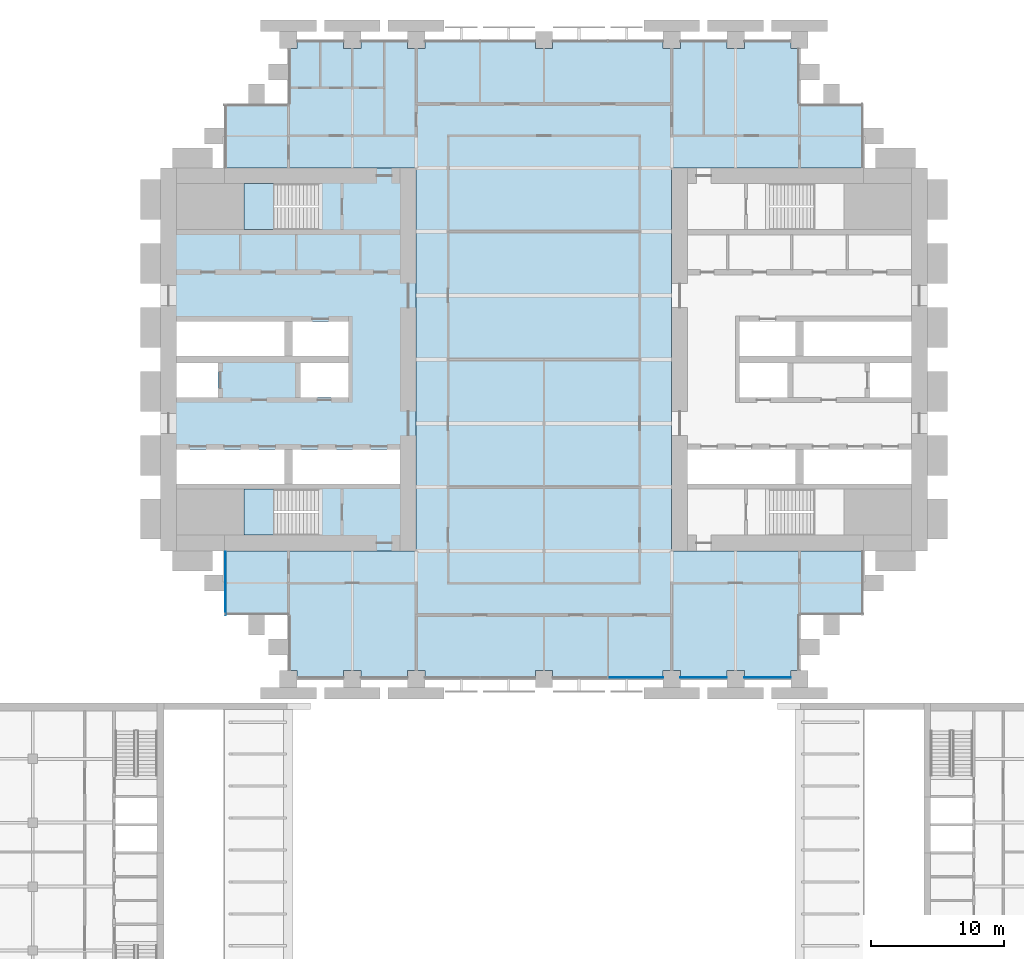
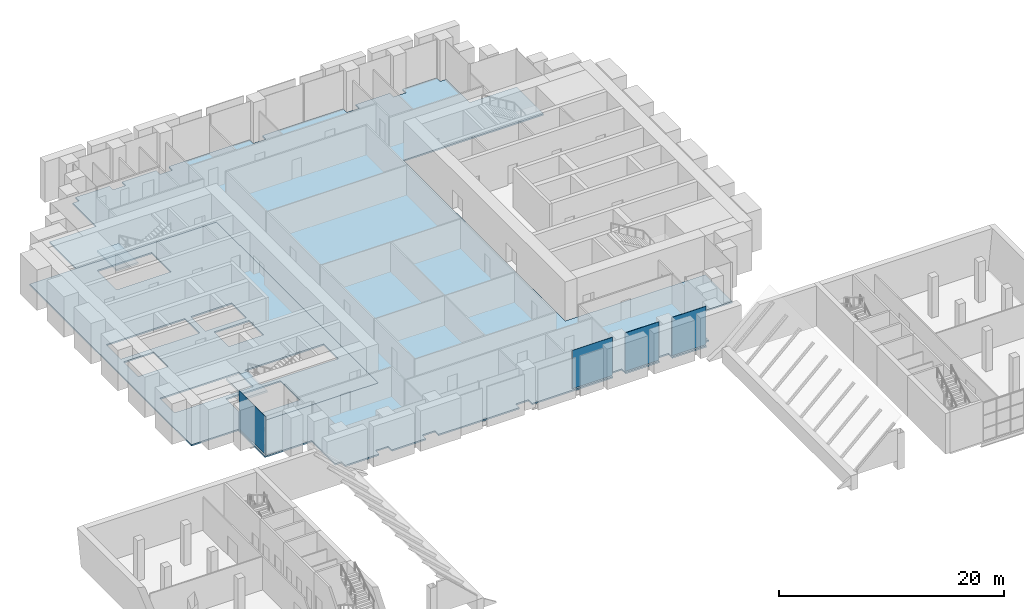
# One storey, part 17 of 30: 4 plates, 4 slabs, 4 elements without a shape of their own.
"""IFC4 building model written with IfcOpenShell, lengths in metres."""

from ifc_helpers import new_model, si_unit, direction, frame, origin, origin_2d, place, context, subcontext, project, spatial, polyline, rectangle, outline, extrude, material, layer, layer_set, type_object, element, aggregate, save


model = new_model("IFC4")

# Units and contexts
model_context = context("Model", 3, precision=1e-05, world=origin(), true_north=direction((0.0, 1.0)))
body_context = subcontext(model_context, "Body", "Model", "MODEL_VIEW")
ifc_project = project(units=[si_unit("LENGTHUNIT", "METRE"), si_unit("AREAUNIT", "SQUARE_METRE"), si_unit("VOLUMEUNIT", "CUBIC_METRE"), si_unit("PLANEANGLEUNIT", "RADIAN"), si_unit("MASSUNIT", "GRAM", prefix="KILO")], contexts=[model_context])

# Site, building, storey
site_placement = place(None, origin())
site = spatial("IfcSite", under=ifc_project, at=site_placement, CompositionType="ELEMENT")
building_placement = place(site_placement, origin())
building = spatial("IfcBuilding", under=site, at=building_placement, Name="Baori Bourse Tower", CompositionType="ELEMENT")
storey_placement = place(building_placement, frame((0.0, 0.0, 17.0)))
storey = spatial("IfcBuildingStorey", under=building, at=storey_placement, Name="L02", CompositionType="ELEMENT", Elevation=17.0)

# Curtain wall, plates
ifc_material_1 = material(Name="Pale anodised aluminium", Category="aluminium")
curtain_wall_type_1 = type_object("IfcCurtainWallType", Name="CW1 Curtain wall", PredefinedType="NOTDEFINED", material=ifc_material_1)
curtain_wall_1_placement = place(storey_placement, origin())
curtain_wall_1 = element("IfcCurtainWall", 1, at=curtain_wall_1_placement, inside=storey, type_object=curtain_wall_type_1, Name="Curtain wall CW1 L02 11", PredefinedType="NOTDEFINED")
ifc_material_2 = material(Name="Clear glass", Category="glass")
ifc_layer_1 = layer(ifc_material_2, 0.033935546875)
ifc_layer_set_1 = layer_set([ifc_layer_1], Name="CW1 Curtain wall panel")
plate_type_1 = type_object("IfcPlateType", Name="CW1 Curtain wall panel", PredefinedType="CURTAIN_PANEL", material=ifc_layer_set_1)
plate_1_placement = place(storey_placement, frame((35.68994140625, 0.10009765625, 0.080078125), z_axis=(0.0, 0.0, 1.0), x_axis=(1.0, 0.0, 0.0)))
plate_1 = element("IfcPlate", 2, at=plate_1_placement, type_object=plate_type_1, Name="Curtain wall CW1 panel", PredefinedType="CURTAIN_PANEL", context=body_context, shape_type="SweptSolid", body=[
    extrude(rectangle(XDim=4.1201171875, YDim=0.033935546875, at=origin_2d()), origin(), (0.0, 0.0, 1.0), 4.159912109375),
])
plate_2_placement = place(storey_placement, frame((40.800048828125, 0.10009765625, 0.080078125), z_axis=(0.0, 0.0, 1.0), x_axis=(1.0, 0.0, 0.0)))
plate_2 = element("IfcPlate", 3, at=plate_2_placement, type_object=plate_type_1, Name="Curtain wall CW1 panel", PredefinedType="CURTAIN_PANEL", context=body_context, shape_type="SweptSolid", body=[
    extrude(rectangle(XDim=3.5, YDim=0.033935546875, at=origin_2d()), origin(), (0.0, 0.0, 1.0), 4.159912109375),
])
plate_3_placement = place(storey_placement, frame((45.60009765625, 0.10009765625, 0.080078125), z_axis=(0.0, 0.0, 1.0), x_axis=(1.0, 0.0, 0.0)))
plate_3 = element("IfcPlate", 4, at=plate_3_placement, type_object=plate_type_1, Name="Curtain wall CW1 panel", PredefinedType="CURTAIN_PANEL", context=body_context, shape_type="SweptSolid", body=[
    extrude(rectangle(XDim=3.5, YDim=0.033935546875, at=origin_2d()), origin(), (0.0, 0.0, 1.0), 4.159912109375),
])
aggregate(curtain_wall_1, [plate_1, plate_2, plate_3])

# Curtain wall, plate
ifc_material_3 = material(Name="Pale anodised aluminium", Category="aluminium")
curtain_wall_type_2 = type_object("IfcCurtainWallType", Name="CW2 Curtain wall", PredefinedType="NOTDEFINED", material=ifc_material_3)
curtain_wall_2_placement = place(storey_placement, origin())
curtain_wall_2 = element("IfcCurtainWall", 5, at=curtain_wall_2_placement, inside=storey, type_object=curtain_wall_type_2, Name="Curtain wall CW2 L02 8", PredefinedType="NOTDEFINED")
ifc_material_4 = material(Name="Clear glass", Category="glass")
ifc_layer_2 = layer(ifc_material_4, 0.030029296875)
ifc_layer_set_2 = layer_set([ifc_layer_2], Name="CW2 Curtain wall panel")
plate_type_2 = type_object("IfcPlateType", Name="CW2 Curtain wall panel", PredefinedType="CURTAIN_PANEL", material=ifc_layer_set_2)
plate_4_placement = place(storey_placement, frame((4.889892578125, 7.172607421875, 0.070068359375), z_axis=(0.0, 0.0, 1.0), x_axis=(0.0, -1.0, 0.0)))
plate_4 = element("IfcPlate", 6, at=plate_4_placement, type_object=plate_type_2, Name="Curtain wall CW2 panel", PredefinedType="CURTAIN_PANEL", context=body_context, shape_type="SweptSolid", body=[
    extrude(rectangle(XDim=4.7451171875, YDim=0.030029296875, at=origin_2d()), origin(), (0.0, 0.0, 1.0), 4.169921875),
])
aggregate(curtain_wall_2, [plate_4])

# Slab
ifc_material_5 = material(Name="Concrete f'c 50 MPa", Category="concrete")
ifc_layer_3 = layer(ifc_material_5, 0.159912109375)
ifc_layer_set_3 = layer_set([ifc_layer_3], Name="Core slab 160")
slab_type_1 = type_object("IfcSlabType", Name="Core slab 160", PredefinedType="FLOOR", material=ifc_layer_set_3)
slab_1_placement = place(storey_placement, frame((0.0, 0.0, -0.159912109375)))
element("IfcSlab", 7, at=slab_1_placement, inside=storey, type_object=slab_type_1, Name="Core floor slab W01", PredefinedType="FLOOR", context=body_context, shape_type="SweptSolid", body=[
    extrude(outline(polyline([(19.199951171875, 9.60009765625), (19.199951171875, 38.39990234375), (0.0, 38.39990234375), (0.0, 9.60009765625), (19.199951171875, 9.60009765625)]), holes=[polyline([(9.89990234375, 14.64990234375), (9.89990234375, 17.25), (18.0, 17.25), (18.0, 14.64990234375), (9.89990234375, 14.64990234375)]), polyline([(10.5, 21.14990234375), (10.5, 23.75), (14.10009765625, 23.75), (14.10009765625, 21.14990234375), (10.5, 21.14990234375)]), polyline([(14.10009765625, 24.25), (9.89990234375, 24.25), (9.89990234375, 26.85009765625), (14.10009765625, 26.85009765625), (14.10009765625, 24.25)]), polyline([(6.25, 14.25), (11.84912109375, 14.25), (11.84912109375, 10.800048828125), (6.25, 10.800048828125), (6.25, 14.25)]), polyline([(11.84912109375, 37.199951171875), (11.84912109375, 33.75), (6.25, 33.75), (6.25, 37.199951171875), (11.84912109375, 37.199951171875)]), polyline([(1.199951171875, 26.85009765625), (9.300048828125, 26.85009765625), (9.300048828125, 24.25), (1.199951171875, 24.25), (1.199951171875, 26.85009765625)]), polyline([(9.300048828125, 14.64990234375), (1.199951171875, 14.64990234375), (1.199951171875, 17.25), (9.300048828125, 17.25), (9.300048828125, 14.64990234375)]), polyline([(4.300048828125, 23.75), (4.300048828125, 21.14990234375), (1.199951171875, 21.14990234375), (1.199951171875, 23.75), (4.300048828125, 23.75)])]), origin(), (0.0, 0.0, 1.0), 0.159912109375),
])

# Stair, slab
ifc_material_6 = material(Name="Concrete f'c 50 MPa", Category="concrete")
stair_type = type_object("IfcStairType", Name="Core stair", PredefinedType="HALF_TURN_STAIR", material=ifc_material_6)
stair_1_placement = place(storey_placement, origin())
stair_1 = element("IfcStair", 8, at=stair_1_placement, inside=storey, type_object=stair_type, Name="L02 Stair WA", PredefinedType="HALF_TURN_STAIR")
ifc_material_7 = material(Name="Concrete f'c 50 MPa", Category="concrete")
slab_type_2 = type_object("IfcSlabType", Name="Core stair landing", PredefinedType="LANDING", material=ifc_material_7)
slab_2_placement = place(storey_placement, frame((0.0, 0.0, 2.0)))
slab_2 = element("IfcSlab", 9, at=slab_2_placement, type_object=slab_type_2, Name="ST1 landing 1", PredefinedType="LANDING", context=body_context, shape_type="SweptSolid", body=[
    extrude(outline(polyline([(8.489990234375, 14.25), (6.25, 14.25), (6.25, 10.800048828125), (8.489990234375, 10.800048828125), (8.489990234375, 14.25)])), origin(), (0.0, 0.0, 1.0), 0.199951171875),
])
aggregate(stair_1, [slab_2])

stair_2_placement = place(storey_placement, origin())
stair_2 = element("IfcStair", 10, at=stair_2_placement, inside=storey, type_object=stair_type, Name="L02 Stair WB", PredefinedType="HALF_TURN_STAIR")
slab_3_placement = place(storey_placement, frame((0.0, 0.0, 2.0)))
slab_3 = element("IfcSlab", 11, at=slab_3_placement, type_object=slab_type_2, Name="ST2 landing 1", PredefinedType="LANDING", context=body_context, shape_type="SweptSolid", body=[
    extrude(outline(polyline([(8.489990234375, 37.199951171875), (6.25, 37.199951171875), (6.25, 33.75), (8.489990234375, 33.75), (8.489990234375, 37.199951171875)])), origin(), (0.0, 0.0, 1.0), 0.199951171875),
])
aggregate(stair_2, [slab_3])

# Slab
ifc_material_8 = material(Name="Concrete f'c 40 MPa", Category="concrete")
ifc_layer_4 = layer(ifc_material_8, 0.159912109375)
ifc_layer_set_4 = layer_set([ifc_layer_4], Name="Floor slab 160")
slab_type_3 = type_object("IfcSlabType", Name="Floor slab 160", PredefinedType="FLOOR", material=ifc_layer_set_4)
slab_4_placement = place(storey_placement, frame((0.0, 0.0, -0.159912109375)))
element("IfcSlab", 12, at=slab_4_placement, inside=storey, type_object=slab_type_3, Name="Floor slab L02", PredefinedType="FLOOR", context=body_context, shape_type="SweptSolid", body=[
    extrude(outline(polyline([(9.60009765625, 4.800048828125), (4.800048828125, 4.800048828125), (4.800048828125, 9.60009765625), (19.199951171875, 9.60009765625), (19.199951171875, 38.39990234375), (4.800048828125, 38.39990234375), (4.800048828125, 43.199951171875), (9.60009765625, 43.199951171875), (9.60009765625, 47.35009765625), (10.25, 47.35009765625), (10.25, 48.0), (13.75, 48.0), (13.75, 47.35009765625), (15.050048828125, 47.35009765625), (15.050048828125, 48.0), (18.550048828125, 48.0), (18.550048828125, 47.35009765625), (19.85009765625, 47.35009765625), (19.85009765625, 48.0), (28.14990234375, 48.0), (28.14990234375, 47.35009765625), (29.449951171875, 47.35009765625), (29.449951171875, 48.0), (37.75, 48.0), (37.75, 47.35009765625), (39.050048828125, 47.35009765625), (39.050048828125, 48.0), (42.550048828125, 48.0), (42.550048828125, 47.35009765625), (43.85009765625, 47.35009765625), (43.85009765625, 48.0), (47.35009765625, 48.0), (47.35009765625, 47.35009765625), (48.0, 47.35009765625), (48.0, 43.199951171875), (52.800048828125, 43.199951171875), (52.800048828125, 38.39990234375), (38.39990234375, 38.39990234375), (38.39990234375, 9.60009765625), (52.800048828125, 9.60009765625), (52.800048828125, 4.800048828125), (48.0, 4.800048828125), (48.0, 0.64990234375), (47.35009765625, 0.64990234375), (47.35009765625, 0.0), (43.85009765625, 0.0), (43.85009765625, 0.64990234375), (42.550048828125, 0.64990234375), (42.550048828125, 0.0), (39.050048828125, 0.0), (39.050048828125, 0.64990234375), (37.75, 0.64990234375), (37.75, 0.0), (29.449951171875, 0.0), (29.449951171875, 0.64990234375), (28.14990234375, 0.64990234375), (28.14990234375, 0.0), (19.85009765625, 0.0), (19.85009765625, 0.64990234375), (18.550048828125, 0.64990234375), (18.550048828125, 0.0), (15.050048828125, 0.0), (15.050048828125, 0.64990234375), (13.75, 0.64990234375), (13.75, 0.0), (10.25, 0.0), (10.25, 0.64990234375), (9.60009765625, 0.64990234375), (9.60009765625, 4.800048828125)])), origin(), (0.0, 0.0, 1.0), 0.159912109375),
])

save(model, "model.ifc")
